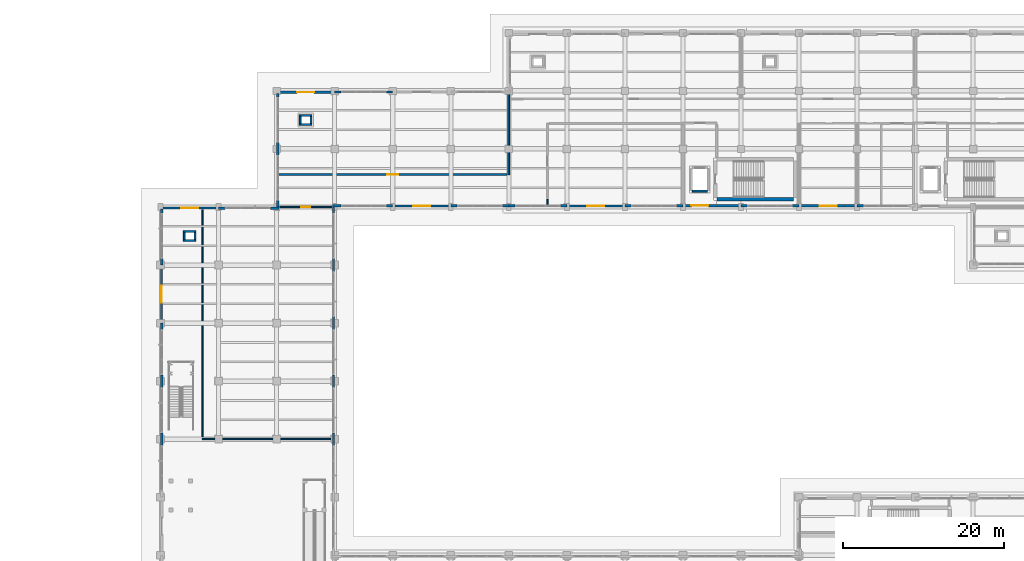
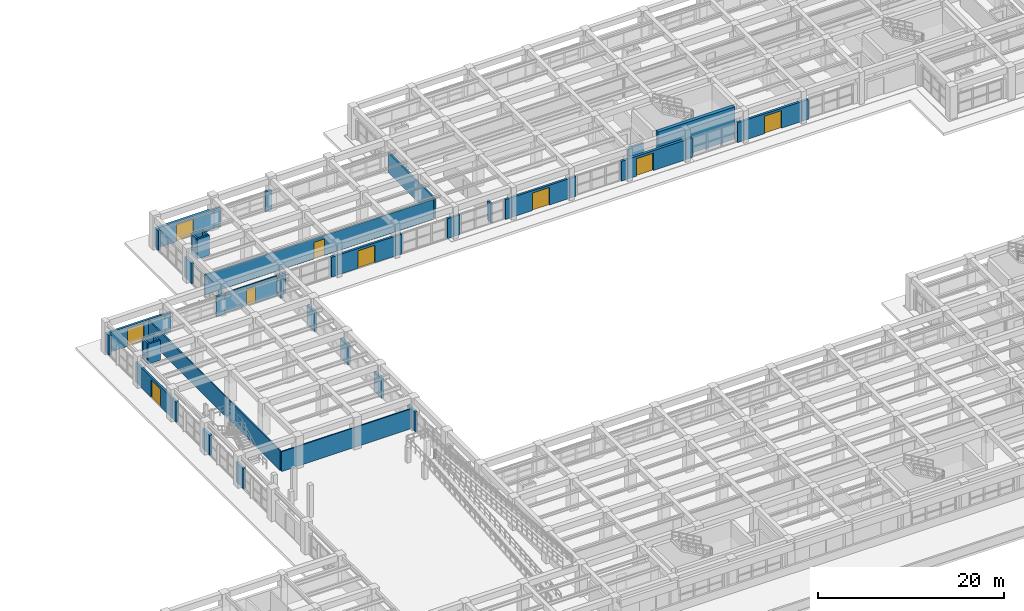
# One storey, part 44 of 64: 51 walls, 9 doors, 9 openings.
"""IFC4 building model written with IfcOpenShell, lengths in metres."""

from ifc_helpers import new_model, si_unit, direction, frame, frame_2d, origin, place, context, subcontext, project, spatial, rectangle, extrude, material, layer, layer_set, type_object, element, fill, save


model = new_model("IFC4")

# Units and contexts
model_context = context("Model", 3, precision=1e-05, world=origin(), true_north=direction((0.0, 1.0)))
body_context = subcontext(model_context, "Body", "Model", "MODEL_VIEW")
ifc_project = project(units=[si_unit("LENGTHUNIT", "METRE"), si_unit("AREAUNIT", "SQUARE_METRE"), si_unit("VOLUMEUNIT", "CUBIC_METRE"), si_unit("PLANEANGLEUNIT", "RADIAN"), si_unit("MASSUNIT", "GRAM", prefix="KILO")], contexts=[model_context])

# Site, building, storey
site_placement = place(None, origin())
site = spatial("IfcSite", under=ifc_project, at=site_placement, CompositionType="ELEMENT")
building_placement = place(site_placement, origin())
building = spatial("IfcBuilding", under=site, at=building_placement, Name="Solenvale Faculty of Natural Sciences", CompositionType="ELEMENT")
storey_placement = place(building_placement, origin())
storey = spatial("IfcBuildingStorey", under=building, at=storey_placement, Name="L00", CompositionType="ELEMENT", Elevation=0.0)

# Wall, opening, door
ifc_material_1 = material(Name="Precast concrete 40 MPa", Category="concrete")
ifc_layer_1 = layer(ifc_material_1, 0.264892578125)
ifc_layer_set_1 = layer_set([ifc_layer_1], Name="Precast concrete 40 MPa")
wall_type_1 = type_object("IfcWallType", Name="WL-EXT-PRC-265", PredefinedType="STANDARD", material=ifc_layer_set_1)
wall_1_placement = place(storey_placement, frame((72.0, 93.732421875, 0.0), z_axis=(0.0, 0.0, 1.0), x_axis=(-1.0, 0.0, 0.0)))
wall_1 = element("IfcWall", 1, at=wall_1_placement, inside=storey, type_object=wall_type_1, Name="L00 Exterior Wall 11.2", PredefinedType="STANDARD", context=body_context, shape_type="SweptSolid", body=[
    extrude(rectangle(XDim=7.199951171875, YDim=0.264892578125, at=frame_2d((3.60009765625, 0.0))), origin(), (0.0, 0.0, 1.0), 2.60009765625),
])
opening_1_placement = place(wall_1_placement, frame((2.550048828125, 0.0, 0.0)))
opening_1 = element("IfcOpeningElement", 2, at=opening_1_placement, cuts=wall_1, Name="Opening EX-12", PredefinedType="OPENING", context=body_context, shape_type="SweptSolid", body=[
    extrude(rectangle(XDim=2.10009765625, YDim=2.300048828125, at=frame_2d((1.050048828125, 1.14990234375))), frame((0.0, 0.142333984375, 0.0), z_axis=(0.0, -1.0, 0.0), x_axis=(1.0, 0.0, 0.0)), (0.0, 0.0, 1.0), 0.284912109375),
])
ifc_material_2 = material(Name="Anodised bronze aluminium", Category="aluminium")
door_type_1 = type_object("IfcDoorType", Name="DR-EXT-2100x2300", OperationType="NOTDEFINED", PredefinedType="DOOR", material=ifc_material_2)
door_1_placement = place(opening_1_placement, origin())
door_1 = element("IfcDoor", 3, at=door_1_placement, inside=storey, type_object=door_type_1, Name="L00 Exterior Exit Door EX-12", OperationType="DOUBLE_DOOR_SINGLE_SWING", OverallHeight=2.300048828125, OverallWidth=2.10009765625, PredefinedType="DOOR", context=body_context, shape_type="SweptSolid", body=[
    extrude(rectangle(XDim=2.10009765625, YDim=2.300048828125, at=frame_2d((1.050048828125, 1.14990234375))), frame((0.0, 0.02490234375, 0.0), z_axis=(0.0, -1.0, 0.0), x_axis=(1.0, 0.0, 0.0)), (0.0, 0.0, 1.0), 0.050048828125),
])
fill(opening_1, door_1)

wall_2_placement = place(storey_placement, frame((93.60009765625, 93.732421875, 0.0), z_axis=(0.0, 0.0, 1.0), x_axis=(-1.0, 0.0, 0.0)))
wall_2 = element("IfcWall", 4, at=wall_2_placement, inside=storey, type_object=wall_type_1, Name="L00 Exterior Wall 12.2", PredefinedType="STANDARD", context=body_context, shape_type="SweptSolid", body=[
    extrude(rectangle(XDim=7.2001953125, YDim=0.264892578125, at=frame_2d((3.60009765625, 0.0))), origin(), (0.0, 0.0, 1.0), 2.60009765625),
])
opening_2_placement = place(wall_2_placement, frame((2.550048828125, 0.0, 0.0)))
opening_2 = element("IfcOpeningElement", 5, at=opening_2_placement, cuts=wall_2, Name="Opening EX-13", PredefinedType="OPENING", context=body_context, shape_type="SweptSolid", body=[
    extrude(rectangle(XDim=2.10009765625, YDim=2.300048828125, at=frame_2d((1.050048828125, 1.14990234375))), frame((0.0, 0.142333984375, 0.0), z_axis=(0.0, -1.0, 0.0), x_axis=(1.0, 0.0, 0.0)), (0.0, 0.0, 1.0), 0.284912109375),
])
door_2_placement = place(opening_2_placement, origin())
door_2 = element("IfcDoor", 6, at=door_2_placement, inside=storey, type_object=door_type_1, Name="L00 Exterior Exit Door EX-13", OperationType="DOUBLE_DOOR_SINGLE_SWING", OverallHeight=2.300048828125, OverallWidth=2.10009765625, PredefinedType="DOOR", context=body_context, shape_type="SweptSolid", body=[
    extrude(rectangle(XDim=2.10009765625, YDim=2.300048828125, at=frame_2d((1.050048828125, 1.14990234375))), frame((0.0, 0.02490234375, 0.0), z_axis=(0.0, -1.0, 0.0), x_axis=(1.0, 0.0, 0.0)), (0.0, 0.0, 1.0), 0.050048828125),
])
fill(opening_2, door_2)

wall_3_placement = place(storey_placement, frame((36.0, 93.467529296875, 0.0), z_axis=(0.0, 0.0, 1.0), x_axis=(1.0, 0.0, 0.0)))
wall_3 = element("IfcWall", 7, at=wall_3_placement, inside=storey, type_object=wall_type_1, Name="L00 Exterior Wall 21.2", PredefinedType="STANDARD", context=body_context, shape_type="SweptSolid", body=[
    extrude(rectangle(XDim=7.199951171875, YDim=0.264892578125, at=frame_2d((3.60009765625, 0.0))), origin(), (0.0, 0.0, 1.0), 2.60009765625),
])
opening_3_placement = place(wall_3_placement, frame((2.550048828125, 0.0, 0.0)))
opening_3 = element("IfcOpeningElement", 8, at=opening_3_placement, cuts=wall_3, Name="Opening EX-26", PredefinedType="OPENING", context=body_context, shape_type="SweptSolid", body=[
    extrude(rectangle(XDim=2.10009765625, YDim=2.300048828125, at=frame_2d((1.050048828125, 1.14990234375))), frame((0.0, 0.142333984375, 0.0), z_axis=(0.0, -1.0, 0.0), x_axis=(1.0, 0.0, 0.0)), (0.0, 0.0, 1.0), 0.284912109375),
])
door_3_placement = place(opening_3_placement, origin())
door_3 = element("IfcDoor", 9, at=door_3_placement, inside=storey, type_object=door_type_1, Name="L00 Exterior Exit Door EX-26", OperationType="DOUBLE_DOOR_SINGLE_SWING", OverallHeight=2.300048828125, OverallWidth=2.10009765625, PredefinedType="DOOR", context=body_context, shape_type="SweptSolid", body=[
    extrude(rectangle(XDim=2.10009765625, YDim=2.300048828125, at=frame_2d((1.050048828125, 1.14990234375))), frame((0.0, 0.02490234375, 0.0), z_axis=(0.0, -1.0, 0.0), x_axis=(1.0, 0.0, 0.0)), (0.0, 0.0, 1.0), 0.050048828125),
])
fill(opening_3, door_3)

wall_4_placement = place(storey_placement, frame((36.132568359375, 79.199951171875, 0.0), z_axis=(0.0, 0.0, 1.0), x_axis=(0.0, 1.0, 0.0)))
wall_4 = element("IfcWall", 10, at=wall_4_placement, inside=storey, type_object=wall_type_1, Name="L00 Exterior Wall 22.2", PredefinedType="STANDARD", context=body_context, shape_type="SweptSolid", body=[
    extrude(rectangle(XDim=7.199951171875, YDim=0.264892578125, at=frame_2d((3.60009765625, 0.0))), origin(), (0.0, 0.0, 1.0), 2.60009765625),
])
opening_4_placement = place(wall_4_placement, frame((2.550048828125, 0.0, 0.0)))
opening_4 = element("IfcOpeningElement", 11, at=opening_4_placement, cuts=wall_4, Name="Opening EX-27", PredefinedType="OPENING", context=body_context, shape_type="SweptSolid", body=[
    extrude(rectangle(XDim=2.10009765625, YDim=2.300048828125, at=frame_2d((1.050048828125, 1.14990234375))), frame((0.0, 0.142333984375, 0.0), z_axis=(0.0, -1.0, 0.0), x_axis=(1.0, 0.0, 0.0)), (0.0, 0.0, 1.0), 0.284912109375),
])
door_4_placement = place(opening_4_placement, origin())
door_4 = element("IfcDoor", 12, at=door_4_placement, inside=storey, type_object=door_type_1, Name="L00 Exterior Exit Door EX-27", OperationType="DOUBLE_DOOR_SINGLE_SWING", OverallHeight=2.300048828125, OverallWidth=2.10009765625, PredefinedType="DOOR", context=body_context, shape_type="SweptSolid", body=[
    extrude(rectangle(XDim=2.10009765625, YDim=2.300048828125, at=frame_2d((1.050048828125, 1.14990234375))), frame((0.0, 0.02490234375, 0.0), z_axis=(0.0, -1.0, 0.0), x_axis=(1.0, 0.0, 0.0)), (0.0, 0.0, 1.0), 0.050048828125),
])
fill(opening_4, door_4)

# Walls
ifc_layer_2 = layer(ifc_material_1, 0.284912109375)
ifc_layer_set_2 = layer_set([ifc_layer_2], Name="Precast concrete 40 MPa")
wall_type_2 = type_object("IfcWallType", Name="WL-EXT-PRC-285", PredefinedType="STANDARD", material=ifc_layer_set_2)
wall_5_placement = place(storey_placement, frame((57.45751953125, 64.011962890625, 0.0), z_axis=(0.0, 0.0, 1.0), x_axis=(0.0, 1.0, 0.0)))
element("IfcWall", 13, at=wall_5_placement, inside=storey, type_object=wall_type_2, Name="L00 Facade Closure Pier 10.B2-R", PredefinedType="STANDARD", context=body_context, shape_type="SweptSolid", body=[
    extrude(rectangle(XDim=1.575927734375, YDim=0.284912109375, at=frame_2d((0.7880859375, 0.0))), origin(), (0.0, 0.0, 1.0), 2.60009765625),
])
wall_6_placement = place(storey_placement, frame((57.45751953125, 71.2119140625, 0.0), z_axis=(0.0, 0.0, 1.0), x_axis=(0.0, 1.0, 0.0)))
element("IfcWall", 14, at=wall_6_placement, inside=storey, type_object=wall_type_2, Name="L00 Facade Closure Pier 10.B3-R", PredefinedType="STANDARD", context=body_context, shape_type="SweptSolid", body=[
    extrude(rectangle(XDim=1.576171875, YDim=0.284912109375, at=frame_2d((0.7880859375, 0.0))), origin(), (0.0, 0.0, 1.0), 2.60009765625),
])
for number, where, z_axis, x_axis, name in (
    (15, (57.45751953125, 78.412109375, 0.0), (0.0, 0.0, 1.0), (0.0, 1.0, 0.0), "L00 Facade Closure Pier 10.B4-R"),
    (16, (57.45751953125, 85.612060546875, 0.0), (0.0, 0.0, 1.0), (0.0, 1.0, 0.0), "L00 Facade Closure Pier 10.B5-R"),
):
    element("IfcWall", number, at=place(storey_placement, frame(where, z_axis=z_axis, x_axis=x_axis)), inside=storey, type_object=wall_type_2, Name=name, PredefinedType="STANDARD", context=body_context, shape_type="SweptSolid", body=[
        extrude(rectangle(XDim=1.575927734375, YDim=0.284912109375, at=frame_2d((0.7880859375, 0.0))), origin(), (0.0, 0.0, 1.0), 2.60009765625),
    ])
wall_7_placement = place(storey_placement, frame((57.45751953125, 92.81201171875, 0.0), z_axis=(0.0, 0.0, 1.0), x_axis=(0.0, 1.0, 0.0)))
element("IfcWall", 17, at=wall_7_placement, inside=storey, type_object=wall_type_2, Name="L00 Facade Closure Pier 10.B6-R", PredefinedType="STANDARD", context=body_context, shape_type="SweptSolid", body=[
    extrude(rectangle(XDim=0.7880859375, YDim=0.284912109375, at=frame_2d((0.39404296875, 0.0))), origin(), (0.0, 0.0, 1.0), 2.60009765625),
])
wall_8_placement = place(storey_placement, frame((57.31494140625, 93.742431640625, 0.0), z_axis=(0.0, 0.0, 1.0), x_axis=(1.0, 0.0, 0.0)))
element("IfcWall", 18, at=wall_8_placement, inside=storey, type_object=wall_type_2, Name="L00 Facade Closure Pier 11.B1-L", PredefinedType="STANDARD", context=body_context, shape_type="SweptSolid", body=[
    extrude(rectangle(XDim=1.072998046875, YDim=0.284912109375, at=frame_2d((0.53662109375, 0.0))), origin(), (0.0, 0.0, 1.0), 2.60009765625),
])
for number, where, z_axis, x_axis, name in (
    (19, (64.011962890625, 93.742431640625, 0.0), (0.0, 0.0, 1.0), (1.0, 0.0, 0.0), "L00 Facade Closure Pier 11.B1-R"),
    (20, (72.0, 93.742431640625, 0.0), (0.0, 0.0, 1.0), (1.0, 0.0, 0.0), "L00 Facade Closure Pier 11.B3-L"),
):
    element("IfcWall", number, at=place(storey_placement, frame(where, z_axis=z_axis, x_axis=x_axis)), inside=storey, type_object=wall_type_2, Name=name, PredefinedType="STANDARD", context=body_context, shape_type="SweptSolid", body=[
        extrude(rectangle(XDim=0.7880859375, YDim=0.284912109375, at=frame_2d((0.39404296875, 0.0))), origin(), (0.0, 0.0, 1.0), 2.60009765625),
    ])
wall_9_placement = place(storey_placement, frame((78.412109375, 93.742431640625, 0.0), z_axis=(0.0, 0.0, 1.0), x_axis=(1.0, 0.0, 0.0)))
element("IfcWall", 21, at=wall_9_placement, inside=storey, type_object=wall_type_2, Name="L00 Facade Closure Pier 11.B3-R", PredefinedType="STANDARD", context=body_context, shape_type="SweptSolid", body=[
    extrude(rectangle(XDim=0.787841796875, YDim=0.284912109375, at=frame_2d((0.39404296875, 0.0))), origin(), (0.0, 0.0, 1.0), 2.60009765625),
])

# Wall, opening, door
wall_10_placement = place(storey_placement, frame((122.39990234375, 93.742431640625, 0.0), z_axis=(0.0, 0.0, 1.0), x_axis=(-1.0, 0.0, 0.0)))
wall_10 = element("IfcWall", 22, at=wall_10_placement, inside=storey, type_object=wall_type_2, Name="L00 Exterior Wall 12.6", PredefinedType="STANDARD", context=body_context, shape_type="SweptSolid", body=[
    extrude(rectangle(XDim=7.199951171875, YDim=0.284912109375, at=frame_2d((3.60009765625, 0.0))), origin(), (0.0, 0.0, 1.0), 2.60009765625),
])
opening_5_placement = place(wall_10_placement, frame((2.550048828125, 0.0, 0.0)))
opening_5 = element("IfcOpeningElement", 23, at=opening_5_placement, cuts=wall_10, Name="Opening EX-15", PredefinedType="OPENING", context=body_context, shape_type="SweptSolid", body=[
    extrude(rectangle(XDim=2.10009765625, YDim=2.300048828125, at=frame_2d((1.050048828125, 1.14990234375))), frame((0.0, 0.15234375, 0.0), z_axis=(0.0, -1.0, 0.0), x_axis=(1.0, 0.0, 0.0)), (0.0, 0.0, 1.0), 0.304931640625),
])
door_5_placement = place(opening_5_placement, origin())
door_5 = element("IfcDoor", 24, at=door_5_placement, inside=storey, type_object=door_type_1, Name="L00 Exterior Exit Door EX-15", OperationType="DOUBLE_DOOR_SINGLE_SWING", OverallHeight=2.300048828125, OverallWidth=2.10009765625, PredefinedType="DOOR", context=body_context, shape_type="SweptSolid", body=[
    extrude(rectangle(XDim=2.10009765625, YDim=2.300048828125, at=frame_2d((1.050048828125, 1.14990234375))), frame((0.0, 0.02490234375, 0.0), z_axis=(0.0, -1.0, 0.0), x_axis=(1.0, 0.0, 0.0)), (0.0, 0.0, 1.0), 0.050048828125),
])
fill(opening_5, door_5)

# Walls
wall_11_placement = place(storey_placement, frame((79.199951171875, 93.742431640625, 0.0), z_axis=(0.0, 0.0, 1.0), x_axis=(1.0, 0.0, 0.0)))
element("IfcWall", 25, at=wall_11_placement, inside=storey, type_object=wall_type_2, Name="L00 Facade Closure Pier 12.B1-L", PredefinedType="STANDARD", context=body_context, shape_type="SweptSolid", body=[
    extrude(rectangle(XDim=0.7880859375, YDim=0.284912109375, at=frame_2d((0.39404296875, 0.0))), origin(), (0.0, 0.0, 1.0), 2.60009765625),
])
for number, where, z_axis, x_axis, name in (
    (26, (85.612060546875, 93.742431640625, 0.0), (0.0, 0.0, 1.0), (1.0, 0.0, 0.0), "L00 Facade Closure Pier 12.B1-R"),
    (27, (93.60009765625, 93.742431640625, 0.0), (0.0, 0.0, 1.0), (1.0, 0.0, 0.0), "L00 Facade Closure Pier 12.B3-L"),
):
    element("IfcWall", number, at=place(storey_placement, frame(where, z_axis=z_axis, x_axis=x_axis)), inside=storey, type_object=wall_type_2, Name=name, PredefinedType="STANDARD", context=body_context, shape_type="SweptSolid", body=[
        extrude(rectangle(XDim=0.787841796875, YDim=0.284912109375, at=frame_2d((0.39404296875, 0.0))), origin(), (0.0, 0.0, 1.0), 2.60009765625),
    ])
for number, where, z_axis, x_axis, name in (
    (28, (100.011962890625, 93.742431640625, 0.0), (0.0, 0.0, 1.0), (1.0, 0.0, 0.0), "L00 Facade Closure Pier 12.B3-R"),
    (29, (108.0, 93.742431640625, 0.0), (0.0, 0.0, 1.0), (1.0, 0.0, 0.0), "L00 Facade Closure Pier 12.B5-L"),
):
    element("IfcWall", number, at=place(storey_placement, frame(where, z_axis=z_axis, x_axis=x_axis)), inside=storey, type_object=wall_type_2, Name=name, PredefinedType="STANDARD", context=body_context, shape_type="SweptSolid", body=[
        extrude(rectangle(XDim=0.7880859375, YDim=0.284912109375, at=frame_2d((0.39404296875, 0.0))), origin(), (0.0, 0.0, 1.0), 2.60009765625),
    ])
wall_12_placement = place(storey_placement, frame((114.412109375, 93.742431640625, 0.0), z_axis=(0.0, 0.0, 1.0), x_axis=(1.0, 0.0, 0.0)))
element("IfcWall", 30, at=wall_12_placement, inside=storey, type_object=wall_type_2, Name="L00 Facade Closure Pier 12.B5-R", PredefinedType="STANDARD", context=body_context, shape_type="SweptSolid", body=[
    extrude(rectangle(XDim=0.787841796875, YDim=0.284912109375, at=frame_2d((0.39404296875, 0.0))), origin(), (0.0, 0.0, 1.0), 2.60009765625),
])
for number, where, z_axis, x_axis, name in (
    (31, (122.39990234375, 93.742431640625, 0.0), (0.0, 0.0, 1.0), (1.0, 0.0, 0.0), "L00 Facade Closure Pier 12.B7-L"),
    (32, (64.800048828125, 107.857421875, 0.0), (0.0, 0.0, 1.0), (-1.0, 0.0, 0.0), "L00 Facade Closure Pier 19.B3-L"),
):
    element("IfcWall", number, at=place(storey_placement, frame(where, z_axis=z_axis, x_axis=x_axis)), inside=storey, type_object=wall_type_2, Name=name, PredefinedType="STANDARD", context=body_context, shape_type="SweptSolid", body=[
        extrude(rectangle(XDim=0.7880859375, YDim=0.284912109375, at=frame_2d((0.39404296875, 0.0))), origin(), (0.0, 0.0, 1.0), 2.60009765625),
    ])
wall_13_placement = place(storey_placement, frame((58.387939453125, 107.857421875, 0.0), z_axis=(0.0, 0.0, 1.0), x_axis=(-1.0, 0.0, 0.0)))
element("IfcWall", 33, at=wall_13_placement, inside=storey, type_object=wall_type_2, Name="L00 Facade Closure Pier 19.B3-R", PredefinedType="STANDARD", context=body_context, shape_type="SweptSolid", body=[
    extrude(rectangle(XDim=0.787841796875, YDim=0.284912109375, at=frame_2d((0.39404296875, 0.0))), origin(), (0.0, 0.0, 1.0), 2.60009765625),
])
wall_14_placement = place(storey_placement, frame((50.54248046875, 107.669921875, 0.0), z_axis=(0.0, 0.0, 1.0), x_axis=(0.0, -1.0, 0.0)))
element("IfcWall", 34, at=wall_14_placement, inside=storey, type_object=wall_type_2, Name="L00 Facade Closure Pier 20.B1-L", PredefinedType="STANDARD", context=body_context, shape_type="SweptSolid", body=[
    extrude(rectangle(XDim=0.4580078125, YDim=0.284912109375, at=frame_2d((0.22900390625, 0.0))), origin(), (0.0, 0.0, 1.0), 2.60009765625),
])
wall_15_placement = place(storey_placement, frame((50.54248046875, 101.587890625, 0.0), z_axis=(0.0, 0.0, 1.0), x_axis=(0.0, -1.0, 0.0)))
element("IfcWall", 35, at=wall_15_placement, inside=storey, type_object=wall_type_2, Name="L00 Facade Closure Pier 20.B1-R", PredefinedType="STANDARD", context=body_context, shape_type="SweptSolid", body=[
    extrude(rectangle(XDim=1.575927734375, YDim=0.284912109375, at=frame_2d((0.7880859375, 0.0))), origin(), (0.0, 0.0, 1.0), 2.60009765625),
])
wall_16_placement = place(storey_placement, frame((50.54248046875, 94.387939453125, 0.0), z_axis=(0.0, 0.0, 1.0), x_axis=(0.0, -1.0, 0.0)))
element("IfcWall", 36, at=wall_16_placement, inside=storey, type_object=wall_type_2, Name="L00 Facade Closure Pier 20.B2-R", PredefinedType="STANDARD", context=body_context, shape_type="SweptSolid", body=[
    extrude(rectangle(XDim=0.787841796875, YDim=0.284912109375, at=frame_2d((0.39404296875, 0.0))), origin(), (0.0, 0.0, 1.0), 2.60009765625),
])
wall_17_placement = place(storey_placement, frame((50.68505859375, 93.45751953125, 0.0), z_axis=(0.0, 0.0, 1.0), x_axis=(-1.0, 0.0, 0.0)))
element("IfcWall", 37, at=wall_17_placement, inside=storey, type_object=wall_type_2, Name="L00 Facade Closure Pier 21.B1-L", PredefinedType="STANDARD", context=body_context, shape_type="SweptSolid", body=[
    extrude(rectangle(XDim=1.072998046875, YDim=0.284912109375, at=frame_2d((0.53662109375, 0.0))), origin(), (0.0, 0.0, 1.0), 2.60009765625),
])
wall_18_placement = place(storey_placement, frame((43.988037109375, 93.45751953125, 0.0), z_axis=(0.0, 0.0, 1.0), x_axis=(-1.0, 0.0, 0.0)))
element("IfcWall", 38, at=wall_18_placement, inside=storey, type_object=wall_type_2, Name="L00 Facade Closure Pier 21.B1-R", PredefinedType="STANDARD", context=body_context, shape_type="SweptSolid", body=[
    extrude(rectangle(XDim=0.7880859375, YDim=0.284912109375, at=frame_2d((0.39404296875, 0.0))), origin(), (0.0, 0.0, 1.0), 2.60009765625),
])
wall_19_placement = place(storey_placement, frame((36.142578125, 93.3349609375, 0.0), z_axis=(0.0, 0.0, 1.0), x_axis=(0.0, -1.0, 0.0)))
element("IfcWall", 39, at=wall_19_placement, inside=storey, type_object=wall_type_2, Name="L00 Facade Closure Pier 22.B1-L", PredefinedType="STANDARD", context=body_context, shape_type="SweptSolid", body=[
    extrude(rectangle(XDim=0.52294921875, YDim=0.284912109375, at=frame_2d((0.261474609375, 0.0))), origin(), (0.0, 0.0, 1.0), 2.60009765625),
])
wall_20_placement = place(storey_placement, frame((36.142578125, 87.18798828125, 0.0), z_axis=(0.0, 0.0, 1.0), x_axis=(0.0, -1.0, 0.0)))
element("IfcWall", 40, at=wall_20_placement, inside=storey, type_object=wall_type_2, Name="L00 Facade Closure Pier 22.B1-R", PredefinedType="STANDARD", context=body_context, shape_type="SweptSolid", body=[
    extrude(rectangle(XDim=0.7880859375, YDim=0.284912109375, at=frame_2d((0.39404296875, 0.0))), origin(), (0.0, 0.0, 1.0), 2.60009765625),
])
wall_21_placement = place(storey_placement, frame((36.142578125, 79.199951171875, 0.0), z_axis=(0.0, 0.0, 1.0), x_axis=(0.0, -1.0, 0.0)))
element("IfcWall", 41, at=wall_21_placement, inside=storey, type_object=wall_type_2, Name="L00 Facade Closure Pier 22.B3-L", PredefinedType="STANDARD", context=body_context, shape_type="SweptSolid", body=[
    extrude(rectangle(XDim=0.787841796875, YDim=0.284912109375, at=frame_2d((0.39404296875, 0.0))), origin(), (0.0, 0.0, 1.0), 2.60009765625),
])
wall_22_placement = place(storey_placement, frame((36.142578125, 72.7880859375, 0.0), z_axis=(0.0, 0.0, 1.0), x_axis=(0.0, -1.0, 0.0)))
element("IfcWall", 42, at=wall_22_placement, inside=storey, type_object=wall_type_2, Name="L00 Facade Closure Pier 22.B3-R", PredefinedType="STANDARD", context=body_context, shape_type="SweptSolid", body=[
    extrude(rectangle(XDim=1.576171875, YDim=0.284912109375, at=frame_2d((0.7880859375, 0.0))), origin(), (0.0, 0.0, 1.0), 2.60009765625),
])
wall_23_placement = place(storey_placement, frame((36.142578125, 65.587890625, 0.0), z_axis=(0.0, 0.0, 1.0), x_axis=(0.0, -1.0, 0.0)))
element("IfcWall", 43, at=wall_23_placement, inside=storey, type_object=wall_type_2, Name="L00 Facade Closure Pier 22.B4-R", PredefinedType="STANDARD", context=body_context, shape_type="SweptSolid", body=[
    extrude(rectangle(XDim=1.575927734375, YDim=0.284912109375, at=frame_2d((0.7880859375, 0.0))), origin(), (0.0, 0.0, 1.0), 2.60009765625),
])

# Wall, opening, door
ifc_layer_3 = layer(ifc_material_1, 0.330078125)
ifc_layer_set_3 = layer_set([ifc_layer_3], Name="Precast concrete 40 MPa")
wall_type_3 = type_object("IfcWallType", Name="WL-EXT-PRC-330", PredefinedType="STANDARD", material=ifc_layer_set_3)
wall_24_placement = place(storey_placement, frame((108.0, 93.764892578125, 0.0), z_axis=(0.0, 0.0, 1.0), x_axis=(-1.0, 0.0, 0.0)))
wall_24 = element("IfcWall", 44, at=wall_24_placement, inside=storey, type_object=wall_type_3, Name="L00 Exterior Wall 12.4", PredefinedType="STANDARD", context=body_context, shape_type="SweptSolid", body=[
    extrude(rectangle(XDim=7.199951171875, YDim=0.330078125, at=frame_2d((3.60009765625, 0.0))), origin(), (0.0, 0.0, 1.0), 2.60009765625),
])
opening_6_placement = place(wall_24_placement, frame((4.050048828125, 0.0, 0.0)))
opening_6 = element("IfcOpeningElement", 45, at=opening_6_placement, cuts=wall_24, Name="Opening EX-14", PredefinedType="OPENING", context=body_context, shape_type="SweptSolid", body=[
    extrude(rectangle(XDim=2.10009765625, YDim=2.300048828125, at=frame_2d((1.050048828125, 1.14990234375))), frame((0.0, 0.175048828125, 0.0), z_axis=(0.0, -1.0, 0.0), x_axis=(1.0, 0.0, 0.0)), (0.0, 0.0, 1.0), 0.35009765625),
])
door_6_placement = place(opening_6_placement, origin())
door_6 = element("IfcDoor", 46, at=door_6_placement, inside=storey, type_object=door_type_1, Name="L00 Exterior Exit Door EX-14", OperationType="DOUBLE_DOOR_SINGLE_SWING", OverallHeight=2.300048828125, OverallWidth=2.10009765625, PredefinedType="DOOR", context=body_context, shape_type="SweptSolid", body=[
    extrude(rectangle(XDim=2.10009765625, YDim=2.300048828125, at=frame_2d((1.050048828125, 1.14990234375))), frame((0.0, 0.02490234375, 0.0), z_axis=(0.0, -1.0, 0.0), x_axis=(1.0, 0.0, 0.0)), (0.0, 0.0, 1.0), 0.050048828125),
])
fill(opening_6, door_6)

wall_25_placement = place(storey_placement, frame((50.39990234375, 107.8349609375, 0.0), z_axis=(0.0, 0.0, 1.0), x_axis=(1.0, 0.0, 0.0)))
wall_25 = element("IfcWall", 47, at=wall_25_placement, inside=storey, type_object=wall_type_3, Name="L00 Exterior Wall 19.4", PredefinedType="STANDARD", context=body_context, shape_type="SweptSolid", body=[
    extrude(rectangle(XDim=7.2001953125, YDim=0.330078125, at=frame_2d((3.60009765625, 0.0))), origin(), (0.0, 0.0, 1.0), 2.60009765625),
])
opening_7_placement = place(wall_25_placement, frame((2.550048828125, 0.0, 0.0)))
opening_7 = element("IfcOpeningElement", 48, at=opening_7_placement, cuts=wall_25, Name="Opening EX-25", PredefinedType="OPENING", context=body_context, shape_type="SweptSolid", body=[
    extrude(rectangle(XDim=2.10009765625, YDim=2.300048828125, at=frame_2d((1.050048828125, 1.14990234375))), frame((0.0, 0.175048828125, 0.0), z_axis=(0.0, -1.0, 0.0), x_axis=(1.0, 0.0, 0.0)), (0.0, 0.0, 1.0), 0.35009765625),
])
door_7_placement = place(opening_7_placement, origin())
door_7 = element("IfcDoor", 49, at=door_7_placement, inside=storey, type_object=door_type_1, Name="L00 Exterior Exit Door EX-25", OperationType="DOUBLE_DOOR_SINGLE_SWING", OverallHeight=2.300048828125, OverallWidth=2.10009765625, PredefinedType="DOOR", context=body_context, shape_type="SweptSolid", body=[
    extrude(rectangle(XDim=2.10009765625, YDim=2.300048828125, at=frame_2d((1.050048828125, 1.14990234375))), frame((0.0, 0.02490234375, 0.0), z_axis=(0.0, -1.0, 0.0), x_axis=(1.0, 0.0, 0.0)), (0.0, 0.0, 1.0), 0.050048828125),
])
fill(opening_7, door_7)

# Wall
ifc_material_3 = material(Name="Gypsum fire-rated laboratory partition")
ifc_layer_4 = layer(ifc_material_3, 0.2119140625)
ifc_layer_set_4 = layer_set([ifc_layer_4], Name="Gypsum fire-rated laboratory partition")
wall_type_4 = type_object("IfcWallType", Name="WL-LAB-212", PredefinedType="PARTITIONING", material=ifc_layer_set_4)
wall_26_placement = place(storey_placement, frame((79.199951171875, 107.596923828125, 0.0), z_axis=(0.0, 0.0, 1.0), x_axis=(0.0, -1.0, 0.0)))
element("IfcWall", 50, at=wall_26_placement, inside=storey, type_object=wall_type_4, Name="L00 Environmental Teaching Laboratory Partition 3", PredefinedType="PARTITIONING", context=body_context, shape_type="SweptSolid", body=[
    extrude(rectangle(XDim=9.976806640625, YDim=0.2119140625, at=frame_2d((4.98828125, 0.0))), origin(), (0.0, 0.0, 1.0), 2.60009765625),
])

# Wall, opening, door
wall_27_placement = place(storey_placement, frame((78.97607421875, 97.6201171875, 0.0), z_axis=(0.0, 0.0, 1.0), x_axis=(-1.0, 0.0, 0.0)))
wall_27 = element("IfcWall", 51, at=wall_27_placement, inside=storey, type_object=wall_type_4, Name="L00 Environmental Teaching Laboratory Partition 4", PredefinedType="PARTITIONING", context=body_context, shape_type="SweptSolid", body=[
    extrude(rectangle(XDim=28.39404296875, YDim=0.2119140625, at=frame_2d((14.197021484375, 0.0))), origin(), (0.0, 0.0, 1.0), 2.60009765625),
])
opening_8_placement = place(wall_27_placement, frame((13.52197265625, 0.0, 0.0)))
opening_8 = element("IfcOpeningElement", 52, at=opening_8_placement, cuts=wall_27, Name="Opening D-L00-18", PredefinedType="OPENING", context=body_context, shape_type="SweptSolid", body=[
    extrude(rectangle(XDim=1.35009765625, YDim=2.14990234375, at=frame_2d((0.675048828125, 1.074951171875))), frame((0.0, 0.115966796875, 0.0), z_axis=(0.0, -1.0, 0.0), x_axis=(1.0, 0.0, 0.0)), (0.0, 0.0, 1.0), 0.23193359375),
])
ifc_material_4 = material(Name="Oak acoustic timber leaf", Category="wood")
door_type_2 = type_object("IfcDoorType", Name="DR-LAB-1350x2150", OperationType="NOTDEFINED", PredefinedType="DOOR", material=ifc_material_4)
door_8_placement = place(opening_8_placement, origin())
door_8 = element("IfcDoor", 53, at=door_8_placement, inside=storey, type_object=door_type_2, Name="L00 Environmental Teaching Laboratory Door", OperationType="SINGLE_SWING_RIGHT", OverallHeight=2.14990234375, OverallWidth=1.35009765625, PredefinedType="DOOR", context=body_context, shape_type="SweptSolid", body=[
    extrude(rectangle(XDim=1.35009765625, YDim=2.14990234375, at=frame_2d((0.675048828125, 1.074951171875))), frame((0.0, 0.02490234375, 0.0), z_axis=(0.0, -1.0, 0.0), x_axis=(1.0, 0.0, 0.0)), (0.0, 0.0, 1.0), 0.050048828125),
])
fill(opening_8, door_8)

# Walls
ifc_material_5 = material(Name="Acoustic double-stud gypsum partition")
ifc_layer_5 = layer(ifc_material_5, 0.155029296875)
ifc_layer_set_5 = layer_set([ifc_layer_5], Name="Acoustic double-stud gypsum partition")
wall_type_5 = type_object("IfcWallType", Name="WL-SEM-155", PredefinedType="PARTITIONING", material=ifc_layer_set_5)
wall_28_placement = place(storey_placement, frame((57.22607421875, 64.820068359375, 0.0), z_axis=(0.0, 0.0, 1.0), x_axis=(-1.0, 0.0, 0.0)))
element("IfcWall", 54, at=wall_28_placement, inside=storey, type_object=wall_type_5, Name="L00 Academic Cafe Partition 1", PredefinedType="PARTITIONING", context=body_context, shape_type="SweptSolid", body=[
    extrude(rectangle(XDim=16.026123046875, YDim=0.155029296875, at=frame_2d((8.01318359375, 0.0))), origin(), (0.0, 0.0, 1.0), 2.60009765625),
])
wall_29_placement = place(storey_placement, frame((41.199951171875, 64.987060546875, 0.0), z_axis=(0.0, 0.0, 1.0), x_axis=(0.0, 1.0, 0.0)))
element("IfcWall", 55, at=wall_29_placement, inside=storey, type_object=wall_type_5, Name="L00 Academic Cafe Partition 2", PredefinedType="PARTITIONING", context=body_context, shape_type="SweptSolid", body=[
    extrude(rectangle(XDim=28.259033203125, YDim=0.155029296875, at=frame_2d((14.12939453125, 0.0))), origin(), (0.0, 0.0, 1.0), 2.60009765625),
])

# Wall, opening, door
wall_30_placement = place(storey_placement, frame((50.77490234375, 93.60009765625, 0.0), z_axis=(0.0, 0.0, 1.0), x_axis=(1.0, 0.0, 0.0)))
wall_30 = element("IfcWall", 56, at=wall_30_placement, inside=storey, type_object=wall_type_5, Name="L00 Academic Cafe Partition 20", PredefinedType="PARTITIONING", context=body_context, shape_type="SweptSolid", body=[
    extrude(rectangle(XDim=6.4501953125, YDim=0.155029296875, at=frame_2d((3.22509765625, 0.0))), origin(), (0.0, 0.0, 1.0), 2.60009765625),
])
opening_9_placement = place(wall_30_placement, frame((2.6650390625, 0.0, 0.0)))
opening_9 = element("IfcOpeningElement", 57, at=opening_9_placement, cuts=wall_30, Name="Opening D-L00-09", PredefinedType="OPENING", context=body_context, shape_type="SweptSolid", body=[
    extrude(rectangle(XDim=1.1201171875, YDim=2.14990234375, at=frame_2d((0.56005859375, 1.074951171875))), frame((0.0, 0.08740234375, 0.0), z_axis=(0.0, -1.0, 0.0), x_axis=(1.0, 0.0, 0.0)), (0.0, 0.0, 1.0), 0.175048828125),
])
door_type_3 = type_object("IfcDoorType", Name="DR-SEM-1120x2150", OperationType="NOTDEFINED", PredefinedType="DOOR", material=ifc_material_4)
door_9_placement = place(opening_9_placement, origin())
door_9 = element("IfcDoor", 58, at=door_9_placement, inside=storey, type_object=door_type_3, Name="L00 Academic Cafe Door", OperationType="SINGLE_SWING_LEFT", OverallHeight=2.14990234375, OverallWidth=1.1201171875, PredefinedType="DOOR", context=body_context, shape_type="SweptSolid", body=[
    extrude(rectangle(XDim=1.1201171875, YDim=2.14990234375, at=frame_2d((0.56005859375, 1.074951171875))), frame((0.0, 0.02490234375, 0.0), z_axis=(0.0, -1.0, 0.0), x_axis=(1.0, 0.0, 0.0)), (0.0, 0.0, 1.0), 0.050048828125),
])
fill(opening_9, door_9)

# Walls
ifc_layer_6 = layer(ifc_material_5, 0.169921875)
ifc_layer_set_6 = layer_set([ifc_layer_6], Name="Acoustic double-stud gypsum partition")
wall_type_6 = type_object("IfcWallType", Name="WL-SEM-170", PredefinedType="PARTITIONING", material=ifc_layer_set_6)
wall_31_placement = place(storey_placement, frame((84.0, 93.782958984375, 0.0), z_axis=(0.0, 0.0, 1.0), x_axis=(0.0, 1.0, 0.0)))
element("IfcWall", 59, at=wall_31_placement, inside=storey, type_object=wall_type_6, Name="L00 Seminar Room Partition 1", PredefinedType="PARTITIONING", context=body_context, shape_type="SweptSolid", body=[
    extrude(rectangle(XDim=0.797119140625, YDim=0.169921875, at=frame_2d((0.3984375, 0.0))), origin(), (0.0, 0.0, 1.0), 2.60009765625),
])
ifc_material_6 = material(Name="Concrete 40 MPa", Category="concrete")
ifc_layer_7 = layer(ifc_material_6, 0.219970703125)
ifc_layer_set_7 = layer_set([ifc_layer_7], Name="Concrete 40 MPa")
wall_type_7 = type_object("IfcWallType", Name="WL-SHF-220", PredefinedType="STANDARD", material=ifc_layer_set_7)
wall_32_placement = place(storey_placement, frame((101.97998046875, 95.570068359375, 0.0), z_axis=(0.0, 0.0, 1.0), x_axis=(1.0, 0.0, 0.0)))
element("IfcWall", 60, at=wall_32_placement, inside=storey, type_object=wall_type_7, Name="Elevator LF-01 L00 Shaft Wall S", PredefinedType="STANDARD", context=body_context, shape_type="SweptSolid", body=[
    extrude(rectangle(XDim=1.840087890625, YDim=0.219970703125, at=frame_2d((0.919921875, 0.0))), origin(), (0.0, 0.0, 1.0), 2.60009765625),
])
for number, where, z_axis, x_axis, name in (
    (61, (38.830078125, 89.43994140625, 0.0), (0.0, 0.0, 1.0), (1.0, 0.0, 0.0), "L00 Service Riser Shaft 3 Wall S"),
    (62, (38.830078125, 90.56005859375, 0.0), (0.0, 0.0, 1.0), (1.0, 0.0, 0.0), "L00 Service Riser Shaft 3 Wall N"),
):
    element("IfcWall", number, at=place(storey_placement, frame(where, z_axis=z_axis, x_axis=x_axis)), inside=storey, type_object=wall_type_7, Name=name, PredefinedType="STANDARD", context=body_context, shape_type="SweptSolid", body=[
        extrude(rectangle(XDim=1.5400390625, YDim=0.219970703125, at=frame_2d((0.77001953125, 0.0))), origin(), (0.0, 0.0, 1.0), 2.60009765625),
    ])
for number, where, z_axis, x_axis, name in (
    (63, (38.93994140625, 89.550048828125, 0.0), (0.0, 0.0, 1.0), (0.0, 1.0, 0.0), "L00 Service Riser Shaft 3 Wall W"),
    (64, (40.260009765625, 89.550048828125, 0.0), (0.0, 0.0, 1.0), (0.0, 1.0, 0.0), "L00 Service Riser Shaft 3 Wall E"),
):
    element("IfcWall", number, at=place(storey_placement, frame(where, z_axis=z_axis, x_axis=x_axis)), inside=storey, type_object=wall_type_7, Name=name, PredefinedType="STANDARD", context=body_context, shape_type="SweptSolid", body=[
        extrude(rectangle(XDim=0.89990234375, YDim=0.219970703125, at=frame_2d((0.449951171875, 0.0))), origin(), (0.0, 0.0, 1.0), 2.60009765625),
    ])
for number, where, z_axis, x_axis, name in (
    (65, (53.22998046875, 103.840087890625, 0.0), (0.0, 0.0, 1.0), (1.0, 0.0, 0.0), "L00 Service Riser Shaft 4 Wall S"),
    (66, (53.22998046875, 104.9599609375, 0.0), (0.0, 0.0, 1.0), (1.0, 0.0, 0.0), "L00 Service Riser Shaft 4 Wall N"),
):
    element("IfcWall", number, at=place(storey_placement, frame(where, z_axis=z_axis, x_axis=x_axis)), inside=storey, type_object=wall_type_7, Name=name, PredefinedType="STANDARD", context=body_context, shape_type="SweptSolid", body=[
        extrude(rectangle(XDim=1.5400390625, YDim=0.219970703125, at=frame_2d((0.77001953125, 0.0))), origin(), (0.0, 0.0, 1.0), 2.60009765625),
    ])
for number, where, z_axis, x_axis, name in (
    (67, (53.340087890625, 103.949951171875, 0.0), (0.0, 0.0, 1.0), (0.0, 1.0, 0.0), "L00 Service Riser Shaft 4 Wall W"),
    (68, (54.659912109375, 103.949951171875, 0.0), (0.0, 0.0, 1.0), (0.0, 1.0, 0.0), "L00 Service Riser Shaft 4 Wall E"),
):
    element("IfcWall", number, at=place(storey_placement, frame(where, z_axis=z_axis, x_axis=x_axis)), inside=storey, type_object=wall_type_7, Name=name, PredefinedType="STANDARD", context=body_context, shape_type="SweptSolid", body=[
        extrude(rectangle(XDim=0.900146484375, YDim=0.219970703125, at=frame_2d((0.4501953125, 0.0))), origin(), (0.0, 0.0, 1.0), 2.60009765625),
    ])
ifc_material_7 = material(Name="Concrete 50 MPa", Category="concrete")
ifc_layer_8 = layer(ifc_material_7, 0.43994140625)
ifc_layer_set_8 = layer_set([ifc_layer_8], Name="Concrete 50 MPa")
wall_type_8 = type_object("IfcWallType", Name="WL-SHR-440", PredefinedType="SHEAR", material=ifc_layer_set_8)
wall_33_placement = place(storey_placement, frame((105.0, 94.580078125, 0.0), z_axis=(0.0, 0.0, 1.0), x_axis=(1.0, 0.0, 0.0)))
element("IfcWall", 69, at=wall_33_placement, inside=storey, type_object=wall_type_8, Name="Core C4 L00 Shear Wall S", PredefinedType="SHEAR", context=body_context, shape_type="SweptSolid", body=[
    extrude(rectangle(XDim=9.5, YDim=0.43994140625, at=frame_2d((4.75, 0.0))), origin(), (0.0, 0.0, 1.0), 4.219970703125),
])

save(model, "model.ifc")
